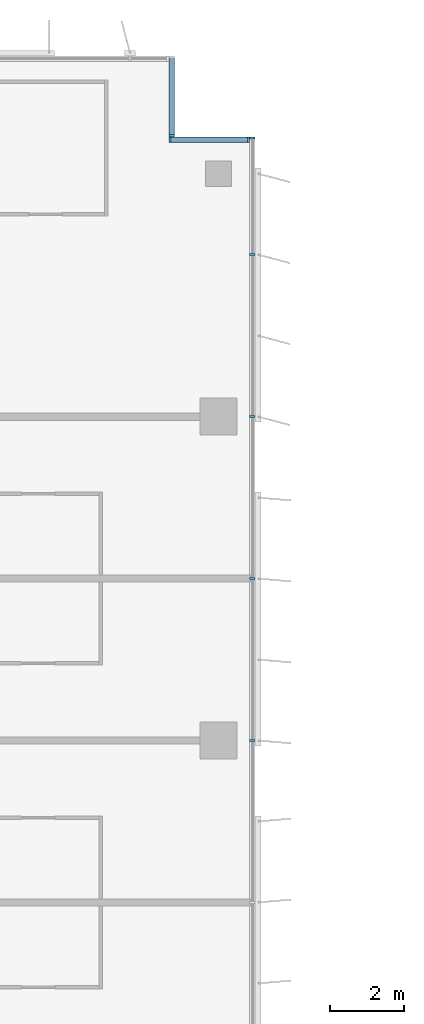
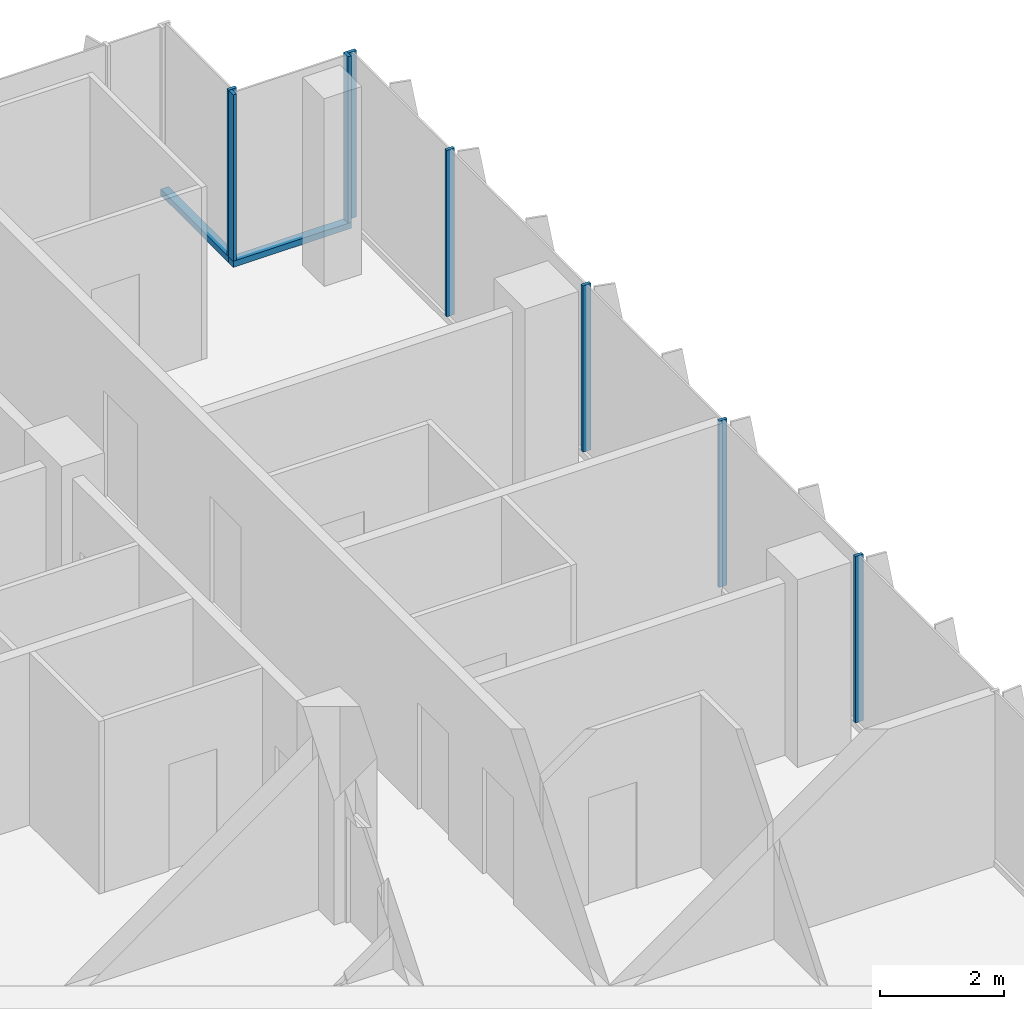
# One storey, part 7 of 21: 10 members, 3 elements without a shape of their own.
"""IFC4 building model written with IfcOpenShell, lengths in metres."""

from ifc_helpers import new_model, si_unit, direction, frame, origin, origin_2d, place, context, subcontext, project, spatial, rectangle, extrude, source, transform, mapped, material, material_profile, profile_set, type_object, element, aggregate, save


model = new_model("IFC4")

# Units and contexts
model_context = context("Model", 3, precision=1e-05, world=origin(), true_north=direction((0.0, 1.0)))
body_context = subcontext(model_context, "Body", "Model", "MODEL_VIEW")
ifc_project = project(units=[si_unit("LENGTHUNIT", "METRE"), si_unit("AREAUNIT", "SQUARE_METRE"), si_unit("VOLUMEUNIT", "CUBIC_METRE"), si_unit("PLANEANGLEUNIT", "RADIAN"), si_unit("MASSUNIT", "GRAM", prefix="KILO")], contexts=[model_context])

# Site, building, storey
site_placement = place(None, origin())
site = spatial("IfcSite", under=ifc_project, at=site_placement, CompositionType="ELEMENT")
building_placement = place(site_placement, origin())
building = spatial("IfcBuilding", under=site, at=building_placement, Name="Kemantara Hotel Tower", CompositionType="ELEMENT")
storey_placement = place(building_placement, frame((0.0, 0.0, 182.699951171875)))
storey = spatial("IfcBuildingStorey", under=building, at=storey_placement, Name="L45", CompositionType="ELEMENT", Elevation=182.699951171875)

# Curtain wall, member
ifc_material_1 = material(Name="Low-E tinted double insulated glass 36 mm", Category="glass")
curtain_wall_type = type_object("IfcCurtainWallType", Name="TOWER CURTAIN WALL, FRONT FACES", PredefinedType="USERDEFINED", material=ifc_material_1)
curtain_wall_1_placement = place(storey_placement, origin())
curtain_wall_1 = element("IfcCurtainWall", 1, at=curtain_wall_1_placement, inside=storey, type_object=curtain_wall_type, Name="CW4 L45 T3-R00-1", ObjectType="TOWER CURTAIN WALL, FRONT FACES", PredefinedType="USERDEFINED")
ifc_material_2 = material(Name="Aluminium 6063-T6 bronze anodised", Category="aluminium")
ifc_material_profile_1 = material_profile(ifc_material_2, rectangle(XDim=0.14990234375, YDim=0.1201171875, at=origin_2d()), Name="TOWER CURTAIN WALL, FRONT FACES TRANSOM")
ifc_profile_set_1 = profile_set([ifc_material_profile_1], Name="Aluminium 6063-T6 bronze anodised")
member_type_1 = type_object("IfcMemberType", Name="TOWER CURTAIN WALL, FRONT FACES TRANSOM", PredefinedType="USERDEFINED", material=ifc_profile_set_1)
member_1_placement = place(storey_placement, frame((21.85009765625, 61.324951171875, 0.06005859375), z_axis=(-1.0, 0.0, 0.0), x_axis=(0.0, -1.0, 0.0)))
member_1 = element("IfcMember", 2, at=member_1_placement, type_object=member_type_1, Name="CW4 sill transom T3-R00-1", ObjectType="TRANSOM", PredefinedType="USERDEFINED", context=body_context, shape_type="SweptSolid", body=[
    extrude(rectangle(XDim=0.14990234375, YDim=0.1201171875, at=origin_2d()), origin(), (0.0, 0.0, 1.0), 2.2001953125),
])

curtain_wall_2_placement = place(storey_placement, origin())
curtain_wall_2 = element("IfcCurtainWall", 3, at=curtain_wall_2_placement, inside=storey, type_object=curtain_wall_type, Name="CW4 L45 T3-R01-1", ObjectType="TOWER CURTAIN WALL, FRONT FACES", PredefinedType="USERDEFINED")
member_2_placement = place(storey_placement, frame((19.72509765625, 61.39990234375, 0.06005859375), z_axis=(0.0, 1.0, 0.0), x_axis=(-1.0, 0.0, 0.0)))
member_2 = element("IfcMember", 4, at=member_2_placement, type_object=member_type_1, Name="CW4 sill transom T3-R01-1", ObjectType="TRANSOM", PredefinedType="USERDEFINED", context=body_context, shape_type="SweptSolid", body=[
    extrude(rectangle(XDim=0.14990234375, YDim=0.1201171875, at=origin_2d()), origin(), (0.0, 0.0, 1.0), 2.2001953125),
])

# Curtain wall, members
curtain_wall_3_placement = place(storey_placement, origin())
curtain_wall_3 = element("IfcCurtainWall", 5, at=curtain_wall_3_placement, inside=storey, type_object=curtain_wall_type, Name="CW4 L45 T3-R17-1", ObjectType="TOWER CURTAIN WALL, FRONT FACES", PredefinedType="USERDEFINED")
ifc_material_profile_2 = material_profile(ifc_material_2, rectangle(XDim=0.14990234375, YDim=0.06005859375, at=origin_2d()), Name="TOWER CURTAIN WALL, FRONT FACES MULLION")
ifc_profile_set_2 = profile_set([ifc_material_profile_2], Name="Aluminium 6063-T6 bronze anodised")
member_type_2 = type_object("IfcMemberType", Name="TOWER CURTAIN WALL, FRONT FACES MULLION", PredefinedType="MULLION", material=ifc_profile_set_2)
shared_shape = source(origin(), body_context, "Body", "SweptSolid", [
    extrude(rectangle(XDim=0.14990234375, YDim=0.06005859375, at=origin_2d()), origin(), (0.0, 0.0, 1.0), 3.280029296875),
])
member_3_placement = place(storey_placement, frame((21.925048828125, 45.0, 0.1201171875), z_axis=(0.0, 0.0, 1.0), x_axis=(-1.0, 0.0, 0.0)))
member_3 = element("IfcMember", 6, at=member_3_placement, type_object=member_type_2, Name="CW4 mullion T3-R17-1.6", PredefinedType="MULLION", context=body_context, shape_type="MappedRepresentation", body=[
    mapped(shared_shape, transform((0.0, 0.0, 0.0))),
])
member_4_placement = place(storey_placement, frame((21.925048828125, 49.39990234375, 0.1201171875), z_axis=(0.0, 0.0, 1.0), x_axis=(-1.0, 0.0, 0.0)))
member_4 = element("IfcMember", 7, at=member_4_placement, type_object=member_type_2, Name="CW4 mullion T3-R17-1.7", PredefinedType="MULLION", context=body_context, shape_type="MappedRepresentation", body=[
    mapped(shared_shape, transform((0.0, 0.0, 0.0))),
])
member_5_placement = place(storey_placement, frame((21.925048828125, 53.800048828125, 0.1201171875), z_axis=(0.0, 0.0, 1.0), x_axis=(-1.0, 0.0, 0.0)))
member_5 = element("IfcMember", 8, at=member_5_placement, type_object=member_type_2, Name="CW4 mullion T3-R17-1.8", PredefinedType="MULLION", context=body_context, shape_type="MappedRepresentation", body=[
    mapped(shared_shape, transform((0.0, 0.0, 0.0))),
])
member_6_placement = place(storey_placement, frame((21.925048828125, 58.199951171875, 0.1201171875), z_axis=(0.0, 0.0, 1.0), x_axis=(-1.0, 0.0, 0.0)))
member_6 = element("IfcMember", 9, at=member_6_placement, type_object=member_type_2, Name="CW4 mullion T3-R17-1.9", PredefinedType="MULLION", context=body_context, shape_type="MappedRepresentation", body=[
    mapped(shared_shape, transform((0.0, 0.0, 0.0))),
])
member_7_placement = place(storey_placement, frame((21.925048828125, 61.3701171875, 0.1201171875), z_axis=(0.0, 0.0, 1.0), x_axis=(-1.0, 0.0, 0.0)))
member_7 = element("IfcMember", 10, at=member_7_placement, type_object=member_type_2, Name="CW4 mullion T3-R17-1.10", PredefinedType="MULLION", context=body_context, shape_type="MappedRepresentation", body=[
    mapped(shared_shape, transform((0.0, 0.0, 0.0))),
])
aggregate(curtain_wall_3, [member_3, member_4, member_5, member_6, member_7])

# Member
member_8_placement = place(storey_placement, frame((21.820068359375, 61.324951171875, 0.1201171875), z_axis=(0.0, 0.0, 1.0), x_axis=(0.0, -1.0, 0.0)))
member_8 = element("IfcMember", 11, at=member_8_placement, type_object=member_type_2, Name="CW4 mullion T3-R00-1.1", PredefinedType="MULLION", context=body_context, shape_type="MappedRepresentation", body=[
    mapped(shared_shape, transform((0.0, 0.0, 0.0))),
])

member_9_placement = place(storey_placement, frame((19.679931640625, 61.324951171875, 0.1201171875), z_axis=(0.0, 0.0, 1.0), x_axis=(0.0, -1.0, 0.0)))
member_9 = element("IfcMember", 12, at=member_9_placement, type_object=member_type_2, Name="CW4 mullion T3-R00-1.2", PredefinedType="MULLION", context=body_context, shape_type="MappedRepresentation", body=[
    mapped(shared_shape, transform((0.0, 0.0, 0.0))),
])

aggregate(curtain_wall_1, [member_1, member_8, member_9])

member_10_placement = place(storey_placement, frame((19.72509765625, 61.429931640625, 0.1201171875), z_axis=(0.0, 0.0, 1.0), x_axis=(-1.0, 0.0, 0.0)))
member_10 = element("IfcMember", 13, at=member_10_placement, type_object=member_type_2, Name="CW4 mullion T3-R01-1.1", PredefinedType="MULLION", context=body_context, shape_type="MappedRepresentation", body=[
    mapped(shared_shape, transform((0.0, 0.0, 0.0))),
])

aggregate(curtain_wall_2, [member_2, member_10])

save(model, "model.ifc")
